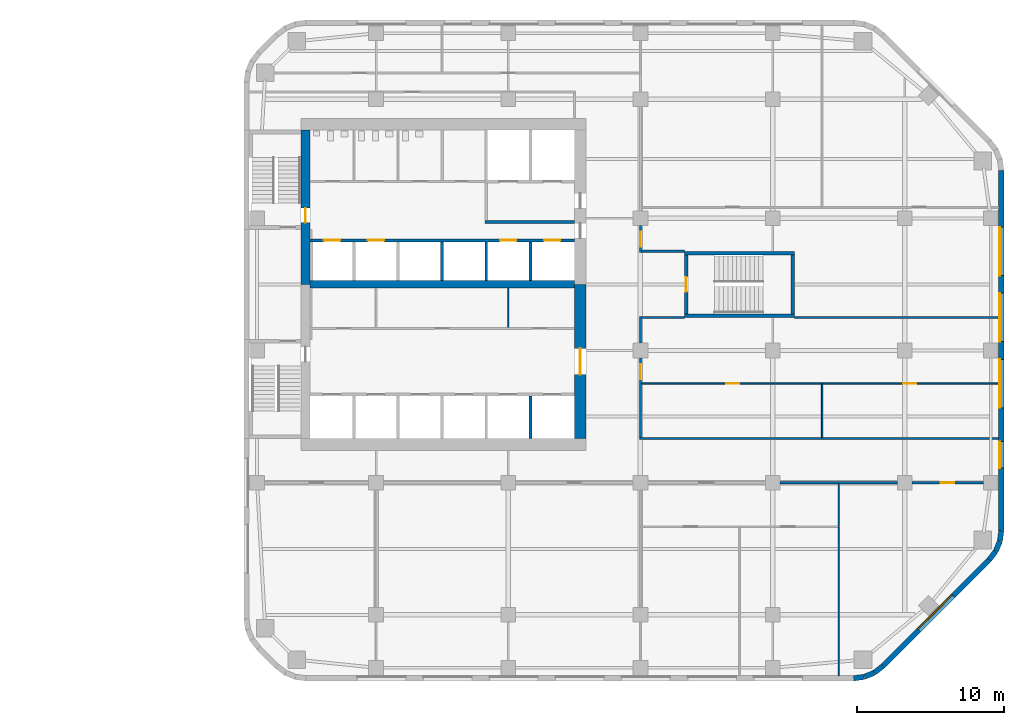
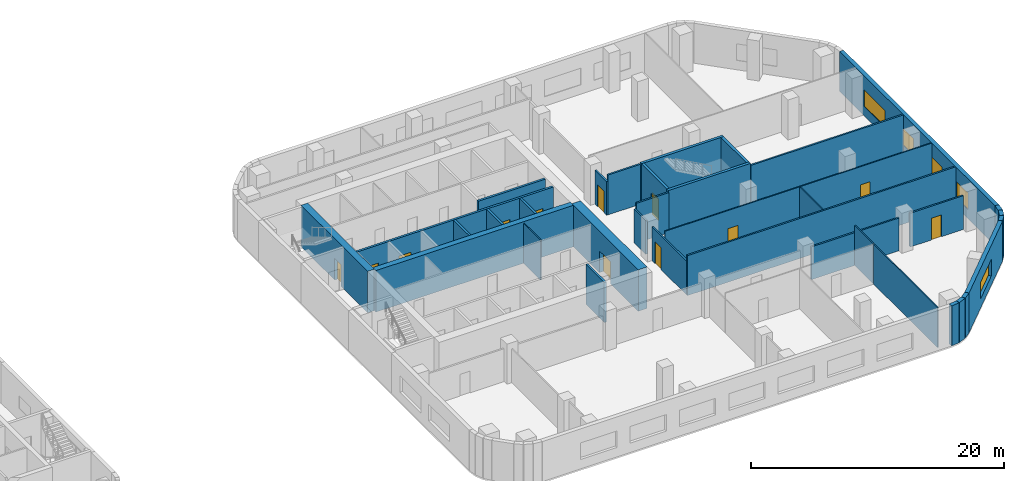
# One storey, part 9 of 14: 35 walls, 12 doors, 5 windows, 17 openings.
"""IFC4 building model written with IfcOpenShell, lengths in metres."""

import ifcopenshell
import ifcopenshell.guid

model = None  # the IFC model being written
_history = None  # IfcOwnerHistory: only IFC2X3 demands one
_inside = {}  # id of a spatial element -> (the spatial element, [elements in it])
_under = {}  # id of a project, library or spatial element -> (it, [spatial elements below it])
_declared = {}  # id of a project -> (the project, [libraries it declares])
_typed = {}  # id of a type object -> (the type object, [elements of that type])
_made_of = {}  # id of a material, layer set ... -> (it, [elements and type objects made of it])


def new_model(schema):
    """Start an empty IFC model of exactly this schema.

    Asked for "IFC4X3", IfcOpenShell would pick the latest addendum, in which some entities
    have other attributes; the version numbers below select the first issue.
    IFC2X3 requires an IfcOwnerHistory on every rooted entity: one is made here for all.
    """
    global model, _history
    if schema == "IFC4X3":
        model = ifcopenshell.file(schema_version=(4, 3, 0, 0))
    else:
        model = ifcopenshell.file(schema=schema)
    _inside.clear()
    _under.clear()
    _declared.clear()
    _typed.clear()
    _made_of.clear()
    _history = None
    if model.schema == "IFC2X3":
        org = make("IfcOrganization", Name="unknown")
        user = make(
            "IfcPersonAndOrganization",
            ThePerson=make("IfcPerson", FamilyName="unknown"),
            TheOrganization=org,
        )
        app = make(
            "IfcApplication",
            ApplicationDeveloper=org,
            Version="unknown",
            ApplicationFullName="unknown",
            ApplicationIdentifier="unknown",
        )
        _history = make(
            "IfcOwnerHistory",
            OwningUser=user,
            OwningApplication=app,
            ChangeAction="ADDED",
            CreationDate=0,
        )
    return model


def make(cls, **values):
    """One entity of the class cls with the attributes given. An attribute that is None is left unset."""
    return model.create_entity(
        cls, **{name: value for name, value in values.items() if value is not None}
    )


def rooted(cls, **values):
    """An entity with a GlobalId (a new one), such as an element, a storey or a relation."""
    return make(cls, GlobalId=ifcopenshell.guid.new(), OwnerHistory=_history, **values)


def si_unit(unit_type, name, prefix=None):
    """IfcSIUnit, for example si_unit("LENGTHUNIT", "METRE", prefix="MILLI")."""
    return make("IfcSIUnit", UnitType=unit_type, Prefix=prefix, Name=name)


def assignment(units):
    """IfcUnitAssignment: the units of a project."""
    return None if units is None else make("IfcUnitAssignment", Units=units)


def point(xyz):
    """IfcCartesianPoint."""
    return None if xyz is None else make("IfcCartesianPoint", Coordinates=xyz)


def direction(xyz):
    """IfcDirection."""
    return None if xyz is None else make("IfcDirection", DirectionRatios=xyz)


def frame(location, z_axis=None, x_axis=None):
    """IfcAxis2Placement3D, a coordinate frame: its origin and axes. An axis left out is left unset."""
    return make(
        "IfcAxis2Placement3D",
        Location=point(location),
        Axis=direction(z_axis),
        RefDirection=direction(x_axis),
    )


def frame_2d(location, x_axis=None):
    """IfcAxis2Placement2D, a coordinate frame in the plane: its origin and x axis."""
    return make(
        "IfcAxis2Placement2D", Location=point(location), RefDirection=direction(x_axis)
    )


def origin():
    """The frame at (0, 0, 0) with its axes left unset."""
    return frame((0.0, 0.0, 0.0))


def place(relative_to, where):
    """IfcLocalPlacement: puts the frame where relative to a parent placement (None: the world)."""
    return make(
        "IfcLocalPlacement", PlacementRelTo=relative_to, RelativePlacement=where
    )


def context(
    kind, dimensions, precision=None, world=None, true_north=None, identifier=None
):
    """IfcGeometricRepresentationContext, for example the 3D "Model" context."""
    return make(
        "IfcGeometricRepresentationContext",
        ContextIdentifier=identifier,
        ContextType=kind,
        CoordinateSpaceDimension=dimensions,
        Precision=precision,
        WorldCoordinateSystem=world,
        TrueNorth=true_north,
    )


def subcontext(parent, identifier, kind, view, scale=None):
    """IfcGeometricRepresentationSubContext, for example "Body" below "Model"."""
    return make(
        "IfcGeometricRepresentationSubContext",
        ContextIdentifier=identifier,
        ContextType=kind,
        ParentContext=parent,
        TargetScale=scale,
        TargetView=view,
    )


def project(units=None, contexts=None):
    """IfcProject with its units and contexts."""
    return rooted(
        "IfcProject",
        Name="project",
        RepresentationContexts=contexts,
        UnitsInContext=assignment(units),
    )


def spatial(cls, under=None, at=None, **own):
    """A site, building, storey or space (cls), placed at a placement, below another one or the project."""
    s = rooted(cls, ObjectPlacement=at, **own)
    if under is not None:
        _under.setdefault(under.id(), (under, []))[1].append(s)
    return s


def profile(cls, at=None, kind="AREA", **sizes):
    """A parametric profile (cls). Its sizes go by their IFC names, for example OverallWidth=200.0."""
    return make(cls, ProfileType=kind, Position=at, **sizes)


def rectangle(**sizes):
    """IfcRectangleProfileDef."""
    return profile("IfcRectangleProfileDef", **sizes)


def extrude(swept, where, along, depth):
    """IfcExtrudedAreaSolid: the profile swept, set in the frame where, extruded along a direction by depth."""
    return make(
        "IfcExtrudedAreaSolid",
        SweptArea=swept,
        Position=where,
        ExtrudedDirection=direction(along),
        Depth=depth,
    )


def shape(context_of_items, identifier, shape_type, items):
    """IfcShapeRepresentation: the items that make up one representation, for example the "Body"."""
    return make(
        "IfcShapeRepresentation",
        ContextOfItems=context_of_items,
        RepresentationIdentifier=identifier,
        RepresentationType=shape_type,
        Items=items,
    )


def material(Name=None, Category=None):
    """IfcMaterial."""
    return make("IfcMaterial", Name=Name, Category=Category)


def layer(
    of_material, thickness, ventilated=None, Name=None, Category=None, Priority=None
):
    """IfcMaterialLayer: one layer of a wall or slab, of a material (None: an air gap)."""
    return make(
        "IfcMaterialLayer",
        Material=of_material,
        LayerThickness=thickness,
        IsVentilated=ventilated,
        Name=Name,
        Category=Category,
        Priority=Priority,
    )


def layer_set(layers, Name=None):
    """IfcMaterialLayerSet."""
    return make("IfcMaterialLayerSet", MaterialLayers=layers, LayerSetName=Name)


def made_of(thing, what):
    """Note that an element or type object is made of a material, layer set ...; save() writes the relation."""
    if what is not None:
        _made_of.setdefault(what.id(), (what, []))[1].append(thing)
    return thing


def type_object(cls, material=None, **own):
    """A type object (cls), such as IfcWallType, which elements share."""
    return made_of(rooted(cls, **own), material)


def element(
    cls,
    number,
    at=None,
    inside=None,
    cuts=None,
    type_object=None,
    material=None,
    context=None,
    identifier="Body",
    shape_type=None,
    held_by="IfcProductDefinitionShape",
    body=None,
    shapes=None,
    **own,
):
    """One element of the class cls, such as IfcWall. Its Tag is "e" and its number.

    at: its placement. inside: the storey or other place that contains it. cuts: it is an
    opening in that element (IfcRelVoidsElement). A single representation is given by context,
    identifier, shape_type and body (its items); several are given by shapes. held_by: the class
    of the entity that holds the representations. save() writes the other relations.
    """
    e = rooted(cls, Tag="e%d" % number, ObjectPlacement=at, **own)
    if body is not None:
        shapes = [shape(context, identifier, shape_type, body)]
    if shapes is not None:
        e.Representation = make(held_by, Representations=shapes)
    if inside is not None:
        _inside.setdefault(inside.id(), (inside, []))[1].append(e)
    if cuts is not None:
        rooted(
            "IfcRelVoidsElement", RelatingBuildingElement=cuts, RelatedOpeningElement=e
        )
    if type_object is not None:
        _typed.setdefault(type_object.id(), (type_object, []))[1].append(e)
    return made_of(e, material)


def fill(opening, filler):
    """IfcRelFillsElement: the door or window that sits in an opening."""
    return rooted(
        "IfcRelFillsElement",
        RelatingOpeningElement=opening,
        RelatedBuildingElement=filler,
    )


def aggregate(whole, parts):
    """IfcRelAggregates: a whole, such as a stair, and the parts it consists of."""
    return rooted("IfcRelAggregates", RelatingObject=whole, RelatedObjects=parts)


def save(model, path):
    """Write the relations noted so far, then the file.

    IfcRelAggregates (storeys below a building ...), IfcRelContainedInSpatialStructure (elements
    in a storey), IfcRelDefinesByType, IfcRelAssociatesMaterial and IfcRelDeclares: one each for
    every whole, place, type object, material and project.
    """
    for whole, parts in _under.values():
        aggregate(whole, parts)
    for where, things in _inside.values():
        rooted(
            "IfcRelContainedInSpatialStructure",
            RelatedElements=things,
            RelatingStructure=where,
        )
    for kind, things in _typed.values():
        rooted("IfcRelDefinesByType", RelatedObjects=things, RelatingType=kind)
    for what, things in _made_of.values():
        rooted("IfcRelAssociatesMaterial", RelatedObjects=things, RelatingMaterial=what)
    for by, libraries in _declared.values():
        rooted("IfcRelDeclares", RelatingContext=by, RelatedDefinitions=libraries)
    model.write(path)


model = new_model("IFC4")

# Units and contexts
model_context = context("Model", 3, precision=1e-05, world=origin(), true_north=direction((0.0, 1.0)))
body_context = subcontext(model_context, "Body", "Model", "MODEL_VIEW")
ifc_project = project(units=[si_unit("LENGTHUNIT", "METRE"), si_unit("AREAUNIT", "SQUARE_METRE"), si_unit("VOLUMEUNIT", "CUBIC_METRE"), si_unit("PLANEANGLEUNIT", "RADIAN"), si_unit("MASSUNIT", "GRAM", prefix="KILO")], contexts=[model_context])

# Site, building, storey
site_placement = place(None, origin())
site = spatial("IfcSite", under=ifc_project, at=site_placement, CompositionType="ELEMENT")
building_placement = place(site_placement, origin())
building = spatial("IfcBuilding", under=site, at=building_placement, Name="Cinnabar Reach Civic Tower", CompositionType="ELEMENT")
storey_placement = place(building_placement, frame((0.0, 0.0, 116.0)))
storey = spatial("IfcBuildingStorey", under=building, at=storey_placement, Name="L27", CompositionType="ELEMENT", Elevation=116.0)

# Walls
ifc_material_1 = material(Name="Facing brick with insulated backing", Category="masonry")
ifc_layer_1 = layer(ifc_material_1, 0.36)
ifc_layer_set_1 = layer_set([ifc_layer_1], Name="Brick corner wall")
wall_type_1 = type_object("IfcWallType", Name="Brick corner wall", PredefinedType="STANDARD", material=ifc_layer_set_1)
for number, where, z_axis, x_axis, name in (
    (1, (41.5186, 4.683, 0.0), (0.0, 0.0, 1.0), (0.99144092581, 0.13055608231, 0.0), "Brick corner wall"),
    (2, (42.2473, 4.7819, 0.0), (0.0, 0.0, 1.0), (0.923871547278, 0.382702709855, 0.0), "Brick corner wall"),
):
    element("IfcWall", number, at=place(storey_placement, frame(where, z_axis=z_axis, x_axis=x_axis)), inside=storey, type_object=wall_type_1, Name=name, PredefinedType="STANDARD", context=body_context, shape_type="SweptSolid", body=[
        extrude(rectangle(XDim=0.7131, YDim=0.36, at=frame_2d((0.3565, 0.0))), origin(), (0.0, 0.0, 1.0), 3.85),
    ])
for number, where, z_axis, x_axis, name in (
    (3, (42.9255, 5.066, 0.0), (0.0, 0.0, 1.0), (0.793321924995, 0.608802368033, 0.0), "Brick corner wall"),
    (4, (50.7498, 12.7587, 0.0), (0.0, 0.0, 1.0), (0.608802368033, 0.793321924995, 0.0), "Brick corner wall"),
):
    element("IfcWall", number, at=place(storey_placement, frame(where, z_axis=z_axis, x_axis=x_axis)), inside=storey, type_object=wall_type_1, Name=name, PredefinedType="STANDARD", context=body_context, shape_type="SweptSolid", body=[
        extrude(rectangle(XDim=0.7132, YDim=0.36, at=frame_2d((0.3566, 0.0))), origin(), (0.0, 0.0, 1.0), 3.85),
    ])
for number, where, z_axis, x_axis, name in (
    (5, (51.1952, 13.3439, 0.0), (0.0, 0.0, 1.0), (0.382702709855, 0.923871547278, 0.0), "Brick corner wall"),
    (6, (51.4739, 14.0244, 0.0), (0.0, 0.0, 1.0), (0.13055608231, 0.99144092581, 0.0), "Brick corner wall"),
):
    element("IfcWall", number, at=place(storey_placement, frame(where, z_axis=z_axis, x_axis=x_axis)), inside=storey, type_object=wall_type_1, Name=name, PredefinedType="STANDARD", context=body_context, shape_type="SweptSolid", body=[
        extrude(rectangle(XDim=0.7131, YDim=0.36, at=frame_2d((0.3565, 0.0))), origin(), (0.0, 0.0, 1.0), 3.85),
    ])

# Wall, opening, window
ifc_layer_2 = layer(ifc_material_1, 0.36)
ifc_layer_set_2 = layer_set([ifc_layer_2], Name="Brick pier and spandrel wall")
wall_type_2 = type_object("IfcWallType", Name="Brick pier and spandrel wall", PredefinedType="STANDARD", material=ifc_layer_set_2)
wall_1_placement = place(storey_placement, frame((43.5014, 5.506, 0.0), z_axis=(0.0, 0.0, 1.0), x_axis=(0.707106781187, 0.707106781187, 0.0)))
wall_1 = element("IfcWall", 7, at=wall_1_placement, inside=storey, type_object=wall_type_2, Name="Brick facade wall", PredefinedType="STANDARD", context=body_context, shape_type="SweptSolid", body=[
    extrude(rectangle(XDim=10.2426, YDim=0.36, at=frame_2d((5.1213, 0.0))), origin(), (0.0, 0.0, 1.0), 3.85),
])
opening_1_placement = place(wall_1_placement, frame((3.4713, 0.0, 0.9)))
opening_1 = element("IfcOpeningElement", 8, at=opening_1_placement, cuts=wall_1, Name="Opening W1574", PredefinedType="OPENING", context=body_context, shape_type="SweptSolid", body=[
    extrude(rectangle(XDim=3.3, YDim=1.6, at=frame_2d((1.65, 0.8))), frame((0.0, 0.19, 0.0), z_axis=(0.0, -1.0, 0.0), x_axis=(1.0, 0.0, 0.0)), (0.0, 0.0, 1.0), 0.38),
])
ifc_material_2 = material(Name="Clear double glazing in aluminium frame", Category="aluminium")
window_type_1 = type_object("IfcWindowType", Name="Deep-set window A", PartitioningType="SINGLE_PANEL", PredefinedType="WINDOW", material=ifc_material_2)
window_1_placement = place(opening_1_placement, origin())
window_1 = element("IfcWindow", 9, at=window_1_placement, inside=storey, type_object=window_type_1, Name="Window southeast face", OverallHeight=1.6, OverallWidth=3.3, PartitioningType="SINGLE_PANEL", PredefinedType="WINDOW", context=body_context, shape_type="SweptSolid", body=[
    extrude(rectangle(XDim=3.3, YDim=1.6, at=frame_2d((1.65, 0.8))), frame((0.0, 0.13, 0.0), z_axis=(0.0, -1.0, 0.0), x_axis=(1.0, 0.0, 0.0)), (0.0, 0.0, 1.0), 0.06),
])
fill(opening_1, window_1)

# Wall, openings, windows
wall_2_placement = place(storey_placement, frame((51.57, 14.7426, 0.0), z_axis=(0.0, 0.0, 1.0), x_axis=(0.0, 1.0, 0.0)))
wall_2 = element("IfcWall", 10, at=wall_2_placement, inside=storey, type_object=wall_type_2, Name="Brick facade wall", PredefinedType="STANDARD", context=body_context, shape_type="SweptSolid", body=[
    extrude(rectangle(XDim=24.5148, YDim=0.36, at=frame_2d((12.2574, 0.0))), origin(), (0.0, 0.0, 1.0), 3.85),
])
opening_2_placement = place(wall_2_placement, frame((4.2574, 0.0, 0.9)))
opening_2 = element("IfcOpeningElement", 11, at=opening_2_placement, cuts=wall_2, Name="Opening W1575", PredefinedType="OPENING", context=body_context, shape_type="SweptSolid", body=[
    extrude(rectangle(XDim=1.8, YDim=1.6, at=frame_2d((0.9, 0.8))), frame((0.0, 0.19, 0.0), z_axis=(0.0, -1.0, 0.0), x_axis=(1.0, 0.0, 0.0)), (0.0, 0.0, 1.0), 0.38),
])
opening_3_placement = place(wall_2_placement, frame((8.3574, 0.0, 0.9)))
opening_3 = element("IfcOpeningElement", 12, at=opening_3_placement, cuts=wall_2, Name="Opening W1576", PredefinedType="OPENING", context=body_context, shape_type="SweptSolid", body=[
    extrude(rectangle(XDim=3.3, YDim=1.6, at=frame_2d((1.65, 0.8))), frame((0.0, 0.19, 0.0), z_axis=(0.0, -1.0, 0.0), x_axis=(1.0, 0.0, 0.0)), (0.0, 0.0, 1.0), 0.38),
])
opening_4_placement = place(wall_2_placement, frame((12.8574, 0.0, 0.9)))
opening_4 = element("IfcOpeningElement", 13, at=opening_4_placement, cuts=wall_2, Name="Opening W1577", PredefinedType="OPENING", context=body_context, shape_type="SweptSolid", body=[
    extrude(rectangle(XDim=3.3, YDim=1.6, at=frame_2d((1.65, 0.8))), frame((0.0, 0.19, 0.0), z_axis=(0.0, -1.0, 0.0), x_axis=(1.0, 0.0, 0.0)), (0.0, 0.0, 1.0), 0.38),
])
opening_5_placement = place(wall_2_placement, frame((17.3574, 0.0, 0.9)))
opening_5 = element("IfcOpeningElement", 14, at=opening_5_placement, cuts=wall_2, Name="Opening W1578", PredefinedType="OPENING", context=body_context, shape_type="SweptSolid", body=[
    extrude(rectangle(XDim=3.3, YDim=1.6, at=frame_2d((1.65, 0.8))), frame((0.0, 0.19, 0.0), z_axis=(0.0, -1.0, 0.0), x_axis=(1.0, 0.0, 0.0)), (0.0, 0.0, 1.0), 0.38),
])
window_2_placement = place(opening_3_placement, origin())
window_2 = element("IfcWindow", 15, at=window_2_placement, inside=storey, type_object=window_type_1, Name="Window east face", OverallHeight=1.6, OverallWidth=3.3, PartitioningType="SINGLE_PANEL", PredefinedType="WINDOW", context=body_context, shape_type="SweptSolid", body=[
    extrude(rectangle(XDim=3.3, YDim=1.6, at=frame_2d((1.65, 0.8))), frame((0.0, 0.13, 0.0), z_axis=(0.0, -1.0, 0.0), x_axis=(1.0, 0.0, 0.0)), (0.0, 0.0, 1.0), 0.06),
])
fill(opening_3, window_2)
window_3_placement = place(opening_4_placement, origin())
window_3 = element("IfcWindow", 16, at=window_3_placement, inside=storey, type_object=window_type_1, Name="Window east face", OverallHeight=1.6, OverallWidth=3.3, PartitioningType="SINGLE_PANEL", PredefinedType="WINDOW", context=body_context, shape_type="SweptSolid", body=[
    extrude(rectangle(XDim=3.3, YDim=1.6, at=frame_2d((1.65, 0.8))), frame((0.0, 0.13, 0.0), z_axis=(0.0, -1.0, 0.0), x_axis=(1.0, 0.0, 0.0)), (0.0, 0.0, 1.0), 0.06),
])
fill(opening_4, window_3)
window_4_placement = place(opening_5_placement, origin())
window_4 = element("IfcWindow", 17, at=window_4_placement, inside=storey, type_object=window_type_1, Name="Window east face", OverallHeight=1.6, OverallWidth=3.3, PartitioningType="SINGLE_PANEL", PredefinedType="WINDOW", context=body_context, shape_type="SweptSolid", body=[
    extrude(rectangle(XDim=3.3, YDim=1.6, at=frame_2d((1.65, 0.8))), frame((0.0, 0.13, 0.0), z_axis=(0.0, -1.0, 0.0), x_axis=(1.0, 0.0, 0.0)), (0.0, 0.0, 1.0), 0.06),
])
fill(opening_5, window_4)
window_type_2 = type_object("IfcWindowType", Name="Deep-set window D", PartitioningType="SINGLE_PANEL", PredefinedType="WINDOW", material=ifc_material_2)
window_5_placement = place(opening_2_placement, origin())
window_5 = element("IfcWindow", 18, at=window_5_placement, inside=storey, type_object=window_type_2, Name="Window east face", OverallHeight=1.6, OverallWidth=1.8, PartitioningType="SINGLE_PANEL", PredefinedType="WINDOW", context=body_context, shape_type="SweptSolid", body=[
    extrude(rectangle(XDim=1.8, YDim=1.6, at=frame_2d((0.9, 0.8))), frame((0.0, 0.13, 0.0), z_axis=(0.0, -1.0, 0.0), x_axis=(1.0, 0.0, 0.0)), (0.0, 0.0, 1.0), 0.06),
])
fill(opening_2, window_5)

# Wall
ifc_material_3 = material(Name="Concrete C60", Category="concrete")
ifc_layer_3 = layer(ifc_material_3, 0.5)
ifc_layer_set_3 = layer_set([ifc_layer_3], Name="Core wall 500 EI 180")
wall_type_3 = type_object("IfcWallType", Name="Core wall 500 EI 180", PredefinedType="SOLIDWALL", material=ifc_layer_set_3)
wall_3_placement = place(storey_placement, frame((4.5, 31.5, 0.0), z_axis=(0.0, 0.0, 1.0), x_axis=(1.0, 0.0, 0.0)))
element("IfcWall", 19, at=wall_3_placement, inside=storey, type_object=wall_type_3, Name="Core spine wall T1 L27", PredefinedType="SOLIDWALL", context=body_context, shape_type="SweptSolid", body=[
    extrude(rectangle(XDim=18.0, YDim=0.5, at=frame_2d((9.0, 0.0))), origin(), (0.0, 0.0, 1.0), 4.0),
])

# Wall, opening, door
ifc_material_4 = material(Name="Concrete C70", Category="concrete")
ifc_layer_4 = layer(ifc_material_4, 0.6)
ifc_layer_set_4 = layer_set([ifc_layer_4], Name="Core wall 600 EI 180")
wall_type_4 = type_object("IfcWallType", Name="Core wall 600 EI 180", PredefinedType="SOLIDWALL", material=ifc_layer_set_4)
wall_4_placement = place(storey_placement, frame((4.2, 42.0, 0.0), z_axis=(0.0, 0.0, 1.0), x_axis=(0.0, -1.0, 0.0)))
wall_4 = element("IfcWall", 20, at=wall_4_placement, inside=storey, type_object=wall_type_4, Name="Core wall T1 L27 W", PredefinedType="SOLIDWALL", context=body_context, shape_type="SweptSolid", body=[
    extrude(rectangle(XDim=10.5, YDim=0.6, at=frame_2d((5.25, 0.0))), origin(), (0.0, 0.0, 1.0), 4.0),
])
opening_6_placement = place(wall_4_placement, frame((5.3, 0.0, 0.0)))
opening_6 = element("IfcOpeningElement", 21, at=opening_6_placement, cuts=wall_4, Name="Opening D4087", PredefinedType="OPENING", context=body_context, shape_type="SweptSolid", body=[
    extrude(rectangle(XDim=1.0, YDim=2.1, at=frame_2d((0.5, 1.05))), frame((0.0, 0.31, 0.0), z_axis=(0.0, -1.0, 0.0), x_axis=(1.0, 0.0, 0.0)), (0.0, 0.0, 1.0), 0.62),
])
ifc_material_5 = material(Name="Timber door leaf in steel frame", Category="steel")
door_type_1 = type_object("IfcDoorType", Name="Stair door 1000 x 2100 T1", OperationType="SINGLE_SWING_LEFT", PredefinedType="DOOR", material=ifc_material_5)
door_1_placement = place(opening_6_placement, frame((1.0, 0.0, 0.0), z_axis=(0.0, 0.0, 1.0), x_axis=(-1.0, 0.0, 0.0)))
door_1 = element("IfcDoor", 22, at=door_1_placement, inside=storey, type_object=door_type_1, Name="Door D4087", OperationType="SINGLE_SWING_LEFT", OverallHeight=2.1, OverallWidth=1.0, PredefinedType="DOOR", context=body_context, shape_type="SweptSolid", body=[
    extrude(rectangle(XDim=1.0, YDim=2.1, at=frame_2d((0.5, 1.05))), frame((0.0, 0.025, 0.0), z_axis=(0.0, -1.0, 0.0), x_axis=(1.0, 0.0, 0.0)), (0.0, 0.0, 1.0), 0.05),
])
fill(opening_6, door_1)

ifc_layer_5 = layer(ifc_material_4, 0.8)
ifc_layer_set_5 = layer_set([ifc_layer_5], Name="Core wall 800 EI 180")
wall_type_5 = type_object("IfcWallType", Name="Core wall 800 EI 180", PredefinedType="SOLIDWALL", material=ifc_layer_set_5)
wall_5_placement = place(storey_placement, frame((22.9, 21.0, 0.0), z_axis=(0.0, 0.0, 1.0), x_axis=(0.0, 1.0, 0.0)))
wall_5 = element("IfcWall", 23, at=wall_5_placement, inside=storey, type_object=wall_type_5, Name="Core wall T1 L27 E", PredefinedType="SOLIDWALL", context=body_context, shape_type="SweptSolid", body=[
    extrude(rectangle(XDim=10.5, YDim=0.8, at=frame_2d((5.25, 0.0))), origin(), (0.0, 0.0, 1.0), 4.0),
])
opening_7_placement = place(wall_5_placement, frame((4.35, 0.0, 0.0)))
opening_7 = element("IfcOpeningElement", 24, at=opening_7_placement, cuts=wall_5, Name="Opening D4101", PredefinedType="OPENING", context=body_context, shape_type="SweptSolid", body=[
    extrude(rectangle(XDim=1.8, YDim=2.1, at=frame_2d((0.9, 1.05))), frame((0.0, 0.41, 0.0), z_axis=(0.0, -1.0, 0.0), x_axis=(1.0, 0.0, 0.0)), (0.0, 0.0, 1.0), 0.82),
])
door_type_2 = type_object("IfcDoorType", Name="Double swing door 1800 x 2100 T1", OperationType="DOUBLE_DOOR_DOUBLE_SWING", PredefinedType="DOOR", material=ifc_material_5)
door_2_placement = place(opening_7_placement, origin())
door_2 = element("IfcDoor", 25, at=door_2_placement, inside=storey, type_object=door_type_2, Name="Door D4101", OperationType="DOUBLE_DOOR_DOUBLE_SWING", OverallHeight=2.1, OverallWidth=1.8, PredefinedType="DOOR", context=body_context, shape_type="SweptSolid", body=[
    extrude(rectangle(XDim=1.8, YDim=2.1, at=frame_2d((0.9, 1.05))), frame((0.0, 0.025, 0.0), z_axis=(0.0, -1.0, 0.0), x_axis=(1.0, 0.0, 0.0)), (0.0, 0.0, 1.0), 0.05),
])
fill(opening_7, door_2)

ifc_material_6 = material(Name="Gypsum board on steel studs, double layer", Category="steel")
ifc_layer_6 = layer(ifc_material_6, 0.15)
ifc_layer_set_6 = layer_set([ifc_layer_6], Name="Corridor wall 150 T1")
wall_type_6 = type_object("IfcWallType", Name="Corridor wall 150 T1", PredefinedType="PARTITIONING", material=ifc_layer_set_6)
wall_6_placement = place(storey_placement, frame((45.5, 18.0, 0.0), z_axis=(0.0, 0.0, 1.0), x_axis=(1.0, 0.0, 0.0)))
wall_6 = element("IfcWall", 26, at=wall_6_placement, inside=storey, type_object=wall_type_6, Name="Corridor wall 19", PredefinedType="PARTITIONING", context=body_context, shape_type="SweptSolid", body=[
    extrude(rectangle(XDim=4.85, YDim=0.15, at=frame_2d((2.425, 0.0))), origin(), (0.0, 0.0, 1.0), 3.254),
])
opening_8_placement = place(wall_6_placement, frame((1.95, 0.0, 0.0)))
opening_8 = element("IfcOpeningElement", 27, at=opening_8_placement, cuts=wall_6, Name="Opening D4123", PredefinedType="OPENING", context=body_context, shape_type="SweptSolid", body=[
    extrude(rectangle(XDim=0.9, YDim=2.1, at=frame_2d((0.45, 1.05))), frame((0.0, 0.085, 0.0), z_axis=(0.0, -1.0, 0.0), x_axis=(1.0, 0.0, 0.0)), (0.0, 0.0, 1.0), 0.17),
])
door_type_3 = type_object("IfcDoorType", Name="Single swing door 900 x 2100 corridor T1", OperationType="SINGLE_SWING_LEFT", PredefinedType="DOOR", material=ifc_material_5)
door_3_placement = place(opening_8_placement, frame((0.9, 0.0, 0.0), z_axis=(0.0, 0.0, 1.0), x_axis=(-1.0, 0.0, 0.0)))
door_3 = element("IfcDoor", 28, at=door_3_placement, inside=storey, type_object=door_type_3, Name="Door D4123", OperationType="SINGLE_SWING_LEFT", OverallHeight=2.1, OverallWidth=0.9, PredefinedType="DOOR", context=body_context, shape_type="SweptSolid", body=[
    extrude(rectangle(XDim=0.9, YDim=2.1, at=frame_2d((0.45, 1.05))), frame((0.0, 0.025, 0.0), z_axis=(0.0, -1.0, 0.0), x_axis=(1.0, 0.0, 0.0)), (0.0, 0.0, 1.0), 0.05),
])
fill(opening_8, door_3)

# Walls
wall_7_placement = place(storey_placement, frame((36.5, 18.0, 0.0), z_axis=(0.0, 0.0, 1.0), x_axis=(1.0, 0.0, 0.0)))
element("IfcWall", 29, at=wall_7_placement, inside=storey, type_object=wall_type_6, Name="Corridor wall 20", PredefinedType="PARTITIONING", context=body_context, shape_type="SweptSolid", body=[
    extrude(rectangle(XDim=8.0, YDim=0.15, at=frame_2d((4.0, 0.0))), origin(), (0.0, 0.0, 1.0), 3.158),
])
wall_8_placement = place(storey_placement, frame((26.925, 21.0, 0.0), z_axis=(0.0, 0.0, 1.0), x_axis=(1.0, 0.0, 0.0)))
element("IfcWall", 30, at=wall_8_placement, inside=storey, type_object=wall_type_6, Name="Corridor wall 26", PredefinedType="PARTITIONING", context=body_context, shape_type="SweptSolid", body=[
    extrude(rectangle(XDim=24.465, YDim=0.15, at=frame_2d((12.2325, 0.0))), origin(), (0.0, 0.0, 1.0), 3.85),
])

# Wall, opening, door
wall_9_placement = place(storey_placement, frame((27.0, 33.675, 0.0), z_axis=(0.0, 0.0, 1.0), x_axis=(0.0, 1.0, 0.0)))
wall_9 = element("IfcWall", 31, at=wall_9_placement, inside=storey, type_object=wall_type_6, Name="Corridor wall 29", PredefinedType="PARTITIONING", context=body_context, shape_type="SweptSolid", body=[
    extrude(rectangle(XDim=1.825, YDim=0.15, at=frame_2d((0.9125, 0.0))), origin(), (0.0, 0.0, 1.0), 3.256),
])
opening_9_placement = place(wall_9_placement, frame((0.4, 0.0, 0.0)))
opening_9 = element("IfcOpeningElement", 32, at=opening_9_placement, cuts=wall_9, Name="Opening D4112", PredefinedType="OPENING", context=body_context, shape_type="SweptSolid", body=[
    extrude(rectangle(XDim=1.0, YDim=2.1, at=frame_2d((0.5, 1.05))), frame((0.0, 0.085, 0.0), z_axis=(0.0, -1.0, 0.0), x_axis=(1.0, 0.0, 0.0)), (0.0, 0.0, 1.0), 0.17),
])
door_type_4 = type_object("IfcDoorType", Name="Tenancy entrance door 1000 x 2100 T1", OperationType="SINGLE_SWING_LEFT", PredefinedType="DOOR", material=ifc_material_5)
door_4_placement = place(opening_9_placement, frame((1.0, 0.0, 0.0), z_axis=(0.0, 0.0, 1.0), x_axis=(-1.0, 0.0, 0.0)))
door_4 = element("IfcDoor", 33, at=door_4_placement, inside=storey, type_object=door_type_4, Name="Door D4112", OperationType="SINGLE_SWING_RIGHT", OverallHeight=2.1, OverallWidth=1.0, PredefinedType="DOOR", context=body_context, shape_type="SweptSolid", body=[
    extrude(rectangle(XDim=1.0, YDim=2.1, at=frame_2d((0.5, 1.05))), frame((0.0, 0.025, 0.0), z_axis=(0.0, -1.0, 0.0), x_axis=(1.0, 0.0, 0.0)), (0.0, 0.0, 1.0), 0.05),
])
fill(opening_9, door_4)

wall_10_placement = place(storey_placement, frame((27.0, 21.075, 0.0), z_axis=(0.0, 0.0, 1.0), x_axis=(0.0, 1.0, 0.0)))
wall_10 = element("IfcWall", 34, at=wall_10_placement, inside=storey, type_object=wall_type_6, Name="Corridor wall 33", PredefinedType="PARTITIONING", context=body_context, shape_type="SweptSolid", body=[
    extrude(rectangle(XDim=5.425, YDim=0.15, at=frame_2d((2.7125, 0.0))), origin(), (0.0, 0.0, 1.0), 3.256),
])
opening_10_placement = place(wall_10_placement, frame((3.975, 0.0, 0.0)))
opening_10 = element("IfcOpeningElement", 35, at=opening_10_placement, cuts=wall_10, Name="Opening D4115", PredefinedType="OPENING", context=body_context, shape_type="SweptSolid", body=[
    extrude(rectangle(XDim=1.0, YDim=2.1, at=frame_2d((0.5, 1.05))), frame((0.0, 0.085, 0.0), z_axis=(0.0, -1.0, 0.0), x_axis=(1.0, 0.0, 0.0)), (0.0, 0.0, 1.0), 0.17),
])
door_5_placement = place(opening_10_placement, frame((1.0, 0.0, 0.0), z_axis=(0.0, 0.0, 1.0), x_axis=(-1.0, 0.0, 0.0)))
door_5 = element("IfcDoor", 36, at=door_5_placement, inside=storey, type_object=door_type_4, Name="Door D4115", OperationType="SINGLE_SWING_RIGHT", OverallHeight=2.1, OverallWidth=1.0, PredefinedType="DOOR", context=body_context, shape_type="SweptSolid", body=[
    extrude(rectangle(XDim=1.0, YDim=2.1, at=frame_2d((0.5, 1.05))), frame((0.0, 0.025, 0.0), z_axis=(0.0, -1.0, 0.0), x_axis=(1.0, 0.0, 0.0)), (0.0, 0.0, 1.0), 0.05),
])
fill(opening_10, door_5)

# Walls
wall_11_placement = place(storey_placement, frame((27.0, 27.5, 0.0), z_axis=(0.0, 0.0, 1.0), x_axis=(0.0, 1.0, 0.0)))
element("IfcWall", 37, at=wall_11_placement, inside=storey, type_object=wall_type_6, Name="Corridor wall 34", PredefinedType="PARTITIONING", context=body_context, shape_type="SweptSolid", body=[
    extrude(rectangle(XDim=1.825, YDim=0.15, at=frame_2d((0.9125, 0.0))), origin(), (0.0, 0.0, 1.0), 3.256),
])
for number, where, z_axis, x_axis, name in (
    (38, (27.075, 29.25, 0.0), (0.0, 0.0, 1.0), (1.0, 0.0, 0.0), "Corridor wall 37"),
    (39, (27.075, 33.75, 0.0), (0.0, 0.0, 1.0), (1.0, 0.0, 0.0), "Corridor wall 38"),
):
    element("IfcWall", number, at=place(storey_placement, frame(where, z_axis=z_axis, x_axis=x_axis)), inside=storey, type_object=wall_type_6, Name=name, PredefinedType="PARTITIONING", context=body_context, shape_type="SweptSolid", body=[
        extrude(rectangle(XDim=2.925, YDim=0.15, at=frame_2d((1.4625, 0.0))), origin(), (0.0, 0.0, 1.0), 3.85),
    ])

# Wall, openings, doors
ifc_material_7 = material(Name="Blockwork", Category="masonry")
ifc_layer_7 = layer(ifc_material_7, 0.2)
ifc_layer_set_7 = layer_set([ifc_layer_7], Name="Lift shaft wall 200 T1")
wall_type_7 = type_object("IfcWallType", Name="Lift shaft wall 200 T1", PredefinedType="PARTITIONING", material=ifc_layer_set_7)
wall_12_placement = place(storey_placement, frame((4.5, 34.5, 0.0), z_axis=(0.0, 0.0, 1.0), x_axis=(1.0, 0.0, 0.0)))
wall_12 = element("IfcWall", 40, at=wall_12_placement, inside=storey, type_object=wall_type_7, Name="Lift shaft wall 5", PredefinedType="PARTITIONING", context=body_context, shape_type="SweptSolid", body=[
    extrude(rectangle(XDim=18.0, YDim=0.2, at=frame_2d((9.0, 0.0))), origin(), (0.0, 0.0, 1.0), 3.85),
])
opening_11_placement = place(wall_12_placement, frame((0.95, 0.0, 0.0)))
opening_11 = element("IfcOpeningElement", 41, at=opening_11_placement, cuts=wall_12, Name="Opening D4095", PredefinedType="OPENING", context=body_context, shape_type="SweptSolid", body=[
    extrude(rectangle(XDim=1.1, YDim=2.1, at=frame_2d((0.55, 1.05))), frame((0.0, 0.11, 0.0), z_axis=(0.0, -1.0, 0.0), x_axis=(1.0, 0.0, 0.0)), (0.0, 0.0, 1.0), 0.22),
])
opening_12_placement = place(wall_12_placement, frame((3.95, 0.0, 0.0)))
opening_12 = element("IfcOpeningElement", 42, at=opening_12_placement, cuts=wall_12, Name="Opening D4096", PredefinedType="OPENING", context=body_context, shape_type="SweptSolid", body=[
    extrude(rectangle(XDim=1.1, YDim=2.1, at=frame_2d((0.55, 1.05))), frame((0.0, 0.11, 0.0), z_axis=(0.0, -1.0, 0.0), x_axis=(1.0, 0.0, 0.0)), (0.0, 0.0, 1.0), 0.22),
])
opening_13_placement = place(wall_12_placement, frame((12.95, 0.0, 0.0)))
opening_13 = element("IfcOpeningElement", 43, at=opening_13_placement, cuts=wall_12, Name="Opening D4097", PredefinedType="OPENING", context=body_context, shape_type="SweptSolid", body=[
    extrude(rectangle(XDim=1.1, YDim=2.1, at=frame_2d((0.55, 1.05))), frame((0.0, 0.11, 0.0), z_axis=(0.0, -1.0, 0.0), x_axis=(1.0, 0.0, 0.0)), (0.0, 0.0, 1.0), 0.22),
])
opening_14_placement = place(wall_12_placement, frame((15.95, 0.0, 0.0)))
opening_14 = element("IfcOpeningElement", 44, at=opening_14_placement, cuts=wall_12, Name="Opening D4098", PredefinedType="OPENING", context=body_context, shape_type="SweptSolid", body=[
    extrude(rectangle(XDim=1.1, YDim=2.1, at=frame_2d((0.55, 1.05))), frame((0.0, 0.11, 0.0), z_axis=(0.0, -1.0, 0.0), x_axis=(1.0, 0.0, 0.0)), (0.0, 0.0, 1.0), 0.22),
])
ifc_material_8 = material(Name="Stainless steel sliding door", Category="steel")
door_type_5 = type_object("IfcDoorType", Name="Lift landing door 1100 x 2100 T1", OperationType="SLIDING_TO_LEFT", PredefinedType="DOOR", material=ifc_material_8)
door_6_placement = place(opening_11_placement, origin())
door_6 = element("IfcDoor", 45, at=door_6_placement, inside=storey, type_object=door_type_5, Name="Lift landing door SH1 L27", OperationType="SLIDING_TO_LEFT", OverallHeight=2.1, OverallWidth=1.1, PredefinedType="DOOR", context=body_context, shape_type="SweptSolid", body=[
    extrude(rectangle(XDim=1.1, YDim=2.1, at=frame_2d((0.55, 1.05))), frame((0.0, 0.025, 0.0), z_axis=(0.0, -1.0, 0.0), x_axis=(1.0, 0.0, 0.0)), (0.0, 0.0, 1.0), 0.05),
])
fill(opening_11, door_6)
door_7_placement = place(opening_12_placement, origin())
door_7 = element("IfcDoor", 46, at=door_7_placement, inside=storey, type_object=door_type_5, Name="Lift landing door SH2 L27", OperationType="SLIDING_TO_LEFT", OverallHeight=2.1, OverallWidth=1.1, PredefinedType="DOOR", context=body_context, shape_type="SweptSolid", body=[
    extrude(rectangle(XDim=1.1, YDim=2.1, at=frame_2d((0.55, 1.05))), frame((0.0, 0.025, 0.0), z_axis=(0.0, -1.0, 0.0), x_axis=(1.0, 0.0, 0.0)), (0.0, 0.0, 1.0), 0.05),
])
fill(opening_12, door_7)
door_8_placement = place(opening_13_placement, origin())
door_8 = element("IfcDoor", 47, at=door_8_placement, inside=storey, type_object=door_type_5, Name="Lift landing door SV1 L27", OperationType="SLIDING_TO_LEFT", OverallHeight=2.1, OverallWidth=1.1, PredefinedType="DOOR", context=body_context, shape_type="SweptSolid", body=[
    extrude(rectangle(XDim=1.1, YDim=2.1, at=frame_2d((0.55, 1.05))), frame((0.0, 0.025, 0.0), z_axis=(0.0, -1.0, 0.0), x_axis=(1.0, 0.0, 0.0)), (0.0, 0.0, 1.0), 0.05),
])
fill(opening_13, door_8)
door_9_placement = place(opening_14_placement, origin())
door_9 = element("IfcDoor", 48, at=door_9_placement, inside=storey, type_object=door_type_5, Name="Lift landing door SV2 L27", OperationType="SLIDING_TO_LEFT", OverallHeight=2.1, OverallWidth=1.1, PredefinedType="DOOR", context=body_context, shape_type="SweptSolid", body=[
    extrude(rectangle(XDim=1.1, YDim=2.1, at=frame_2d((0.55, 1.05))), frame((0.0, 0.025, 0.0), z_axis=(0.0, -1.0, 0.0), x_axis=(1.0, 0.0, 0.0)), (0.0, 0.0, 1.0), 0.05),
])
fill(opening_14, door_9)

# Walls
for number, where, z_axis, x_axis, name in (
    (49, (13.5, 31.75, 0.0), (0.0, 0.0, 1.0), (0.0, 1.0, 0.0), "Lift shaft wall 14"),
    (50, (16.5, 31.75, 0.0), (0.0, 0.0, 1.0), (0.0, 1.0, 0.0), "Lift shaft wall 16"),
):
    element("IfcWall", number, at=place(storey_placement, frame(where, z_axis=z_axis, x_axis=x_axis)), inside=storey, type_object=wall_type_7, Name=name, PredefinedType="PARTITIONING", context=body_context, shape_type="SweptSolid", body=[
        extrude(rectangle(XDim=2.65, YDim=0.2, at=frame_2d((1.325, 0.0))), origin(), (0.0, 0.0, 1.0), 3.85),
    ])
wall_13_placement = place(storey_placement, frame((19.5, 21.0, 0.0), z_axis=(0.0, 0.0, 1.0), x_axis=(0.0, 1.0, 0.0)))
element("IfcWall", 51, at=wall_13_placement, inside=storey, type_object=wall_type_7, Name="Lift shaft wall 17", PredefinedType="PARTITIONING", context=body_context, shape_type="SweptSolid", body=[
    extrude(rectangle(XDim=2.9, YDim=0.2, at=frame_2d((1.45, 0.0))), origin(), (0.0, 0.0, 1.0), 3.85),
])
wall_14_placement = place(storey_placement, frame((19.5, 31.75, 0.0), z_axis=(0.0, 0.0, 1.0), x_axis=(0.0, 1.0, 0.0)))
element("IfcWall", 52, at=wall_14_placement, inside=storey, type_object=wall_type_7, Name="Lift shaft wall 18", PredefinedType="PARTITIONING", context=body_context, shape_type="SweptSolid", body=[
    extrude(rectangle(XDim=2.65, YDim=0.2, at=frame_2d((1.325, 0.0))), origin(), (0.0, 0.0, 1.0), 3.85),
])

# Wall, openings, doors
ifc_material_9 = material(Name="Gypsum board on steel studs", Category="steel")
ifc_layer_8 = layer(ifc_material_9, 0.1)
ifc_layer_set_8 = layer_set([ifc_layer_8], Name="Partition wall 100 T1")
wall_type_8 = type_object("IfcWallType", Name="Partition wall 100 T1", PredefinedType="PARTITIONING", material=ifc_layer_set_8)
wall_15_placement = place(storey_placement, frame((27.075, 24.75, 0.0), z_axis=(0.0, 0.0, 1.0), x_axis=(1.0, 0.0, 0.0)))
wall_15 = element("IfcWall", 53, at=wall_15_placement, inside=storey, type_object=wall_type_8, Name="Partition wall 43", PredefinedType="PARTITIONING", context=body_context, shape_type="SweptSolid", body=[
    extrude(rectangle(XDim=24.315, YDim=0.1, at=frame_2d((12.1575, 0.0))), origin(), (0.0, 0.0, 1.0), 3.85),
])
opening_15_placement = place(wall_15_placement, frame((5.75, 0.0, 0.0)))
opening_15 = element("IfcOpeningElement", 54, at=opening_15_placement, cuts=wall_15, Name="Opening D4116", PredefinedType="OPENING", context=body_context, shape_type="SweptSolid", body=[
    extrude(rectangle(XDim=0.9, YDim=2.1, at=frame_2d((0.45, 1.05))), frame((0.0, 0.06, 0.0), z_axis=(0.0, -1.0, 0.0), x_axis=(1.0, 0.0, 0.0)), (0.0, 0.0, 1.0), 0.12),
])
opening_16_placement = place(wall_15_placement, frame((17.8, 0.0, 0.0)))
opening_16 = element("IfcOpeningElement", 55, at=opening_16_placement, cuts=wall_15, Name="Opening D4117", PredefinedType="OPENING", context=body_context, shape_type="SweptSolid", body=[
    extrude(rectangle(XDim=0.9, YDim=2.1, at=frame_2d((0.45, 1.05))), frame((0.0, 0.06, 0.0), z_axis=(0.0, -1.0, 0.0), x_axis=(1.0, 0.0, 0.0)), (0.0, 0.0, 1.0), 0.12),
])
door_type_6 = type_object("IfcDoorType", Name="Single swing door 900 x 2100 T1", OperationType="SINGLE_SWING_LEFT", PredefinedType="DOOR", material=ifc_material_5)
door_10_placement = place(opening_15_placement, frame((0.9, 0.0, 0.0), z_axis=(0.0, 0.0, 1.0), x_axis=(-1.0, 0.0, 0.0)))
door_10 = element("IfcDoor", 56, at=door_10_placement, inside=storey, type_object=door_type_6, Name="Door D4116", OperationType="SINGLE_SWING_LEFT", OverallHeight=2.1, OverallWidth=0.9, PredefinedType="DOOR", context=body_context, shape_type="SweptSolid", body=[
    extrude(rectangle(XDim=0.9, YDim=2.1, at=frame_2d((0.45, 1.05))), frame((0.0, 0.025, 0.0), z_axis=(0.0, -1.0, 0.0), x_axis=(1.0, 0.0, 0.0)), (0.0, 0.0, 1.0), 0.05),
])
fill(opening_15, door_10)
door_11_placement = place(opening_16_placement, frame((0.9, 0.0, 0.0), z_axis=(0.0, 0.0, 1.0), x_axis=(-1.0, 0.0, 0.0)))
door_11 = element("IfcDoor", 57, at=door_11_placement, inside=storey, type_object=door_type_6, Name="Door D4117", OperationType="SINGLE_SWING_RIGHT", OverallHeight=2.1, OverallWidth=0.9, PredefinedType="DOOR", context=body_context, shape_type="SweptSolid", body=[
    extrude(rectangle(XDim=0.9, YDim=2.1, at=frame_2d((0.45, 1.05))), frame((0.0, 0.025, 0.0), z_axis=(0.0, -1.0, 0.0), x_axis=(1.0, 0.0, 0.0)), (0.0, 0.0, 1.0), 0.05),
])
fill(opening_16, door_11)

# Walls
wall_16_placement = place(storey_placement, frame((40.5, 15.05, 0.0), z_axis=(0.0, 0.0, 1.0), x_axis=(0.0, 1.0, 0.0)))
element("IfcWall", 58, at=wall_16_placement, inside=storey, type_object=wall_type_8, Name="Partition wall 51", PredefinedType="PARTITIONING", context=body_context, shape_type="SweptSolid", body=[
    extrude(rectangle(XDim=2.875, YDim=0.1, at=frame_2d((1.4375, 0.0))), origin(), (0.0, 0.0, 1.0), 3.85),
])
wall_17_placement = place(storey_placement, frame((40.5, 4.86, 0.0), z_axis=(0.0, 0.0, 1.0), x_axis=(0.0, 1.0, 0.0)))
element("IfcWall", 59, at=wall_17_placement, inside=storey, type_object=wall_type_8, Name="Partition wall 52", PredefinedType="PARTITIONING", context=body_context, shape_type="SweptSolid", body=[
    extrude(rectangle(XDim=10.09, YDim=0.1, at=frame_2d((5.045, 0.0))), origin(), (0.0, 0.0, 1.0), 3.85),
])
wall_18_placement = place(storey_placement, frame((39.375, 21.075, 0.0), z_axis=(0.0, 0.0, 1.0), x_axis=(0.0, 1.0, 0.0)))
element("IfcWall", 60, at=wall_18_placement, inside=storey, type_object=wall_type_8, Name="Partition wall 55", PredefinedType="PARTITIONING", context=body_context, shape_type="SweptSolid", body=[
    extrude(rectangle(XDim=3.625, YDim=0.1, at=frame_2d((1.8125, 0.0))), origin(), (0.0, 0.0, 1.0), 3.85),
])
wall_19_placement = place(storey_placement, frame((18.0, 28.575, 0.0), z_axis=(0.0, 0.0, 1.0), x_axis=(0.0, 1.0, 0.0)))
element("IfcWall", 61, at=wall_19_placement, inside=storey, type_object=wall_type_8, Name="Partition wall 61", PredefinedType="PARTITIONING", context=body_context, shape_type="SweptSolid", body=[
    extrude(rectangle(XDim=2.675, YDim=0.1, at=frame_2d((1.3375, 0.0))), origin(), (0.0, 0.0, 1.0), 3.85),
])
ifc_material_10 = material(Name="Concrete C40", Category="concrete")
ifc_layer_9 = layer(ifc_material_10, 0.2)
ifc_layer_set_9 = layer_set([ifc_layer_9], Name="Refuge compartment wall 200 T1")
wall_type_9 = type_object("IfcWallType", Name="Refuge compartment wall 200 T1", PredefinedType="PARTITIONING", material=ifc_layer_set_9)
wall_20_placement = place(storey_placement, frame((16.4, 35.75, 0.0), z_axis=(0.0, 0.0, 1.0), x_axis=(1.0, 0.0, 0.0)))
element("IfcWall", 62, at=wall_20_placement, inside=storey, type_object=wall_type_9, Name="Refuge compartment wall 1", PredefinedType="PARTITIONING", context=body_context, shape_type="SweptSolid", body=[
    extrude(rectangle(XDim=6.1, YDim=0.2, at=frame_2d((3.05, 0.0))), origin(), (0.0, 0.0, 1.0), 3.85),
])
ifc_layer_10 = layer(ifc_material_3, 0.25)
ifc_layer_set_10 = layer_set([ifc_layer_10], Name="Stair shaft wall 250 EI 120")
wall_type_10 = type_object("IfcWallType", Name="Stair shaft wall 250 EI 120", PredefinedType="SOLIDWALL", material=ifc_layer_set_10)
for number, where, z_axis, x_axis, name in (
    (63, (30.0, 29.375, 0.0), (0.0, 0.0, 1.0), (1.0, 0.0, 0.0), "Stair shaft wall T1-S3 L27"),
    (64, (37.5, 33.625, 0.0), (0.0, 0.0, 1.0), (-1.0, 0.0, 0.0), "Stair shaft wall T1-S3 L27"),
):
    element("IfcWall", number, at=place(storey_placement, frame(where, z_axis=z_axis, x_axis=x_axis)), inside=storey, type_object=wall_type_10, Name=name, PredefinedType="SOLIDWALL", context=body_context, shape_type="SweptSolid", body=[
        extrude(rectangle(XDim=7.5, YDim=0.25, at=frame_2d((3.75, 0.0))), origin(), (0.0, 0.0, 1.0), 4.0),
    ])
wall_21_placement = place(storey_placement, frame((37.375, 29.5, 0.0), z_axis=(0.0, 0.0, 1.0), x_axis=(0.0, 1.0, 0.0)))
element("IfcWall", 65, at=wall_21_placement, inside=storey, type_object=wall_type_10, Name="Stair shaft wall T1-S3 L27", PredefinedType="SOLIDWALL", context=body_context, shape_type="SweptSolid", body=[
    extrude(rectangle(XDim=4.0, YDim=0.25, at=frame_2d((2.0, 0.0))), origin(), (0.0, 0.0, 1.0), 4.0),
])

# Wall, opening, door
wall_22_placement = place(storey_placement, frame((30.125, 33.5, 0.0), z_axis=(0.0, 0.0, 1.0), x_axis=(0.0, -1.0, 0.0)))
wall_22 = element("IfcWall", 66, at=wall_22_placement, inside=storey, type_object=wall_type_10, Name="Stair shaft wall T1-S3 L27", PredefinedType="SOLIDWALL", context=body_context, shape_type="SweptSolid", body=[
    extrude(rectangle(XDim=4.0, YDim=0.25, at=frame_2d((2.0, 0.0))), origin(), (0.0, 0.0, 1.0), 4.0),
])
opening_17_placement = place(wall_22_placement, frame((1.5, 0.0, 0.0)))
opening_17 = element("IfcOpeningElement", 67, at=opening_17_placement, cuts=wall_22, Name="Opening D4104", PredefinedType="OPENING", context=body_context, shape_type="SweptSolid", body=[
    extrude(rectangle(XDim=1.0, YDim=2.1, at=frame_2d((0.5, 1.05))), frame((0.0, 0.135, 0.0), z_axis=(0.0, -1.0, 0.0), x_axis=(1.0, 0.0, 0.0)), (0.0, 0.0, 1.0), 0.27),
])
door_12_placement = place(opening_17_placement, origin())
door_12 = element("IfcDoor", 68, at=door_12_placement, inside=storey, type_object=door_type_1, Name="Door D4104", OperationType="SINGLE_SWING_LEFT", OverallHeight=2.1, OverallWidth=1.0, PredefinedType="DOOR", context=body_context, shape_type="SweptSolid", body=[
    extrude(rectangle(XDim=1.0, YDim=2.1, at=frame_2d((0.5, 1.05))), frame((0.0, 0.025, 0.0), z_axis=(0.0, -1.0, 0.0), x_axis=(1.0, 0.0, 0.0)), (0.0, 0.0, 1.0), 0.05),
])
fill(opening_17, door_12)

# Wall
ifc_layer_11 = layer(ifc_material_6, 0.15)
ifc_layer_set_11 = layer_set([ifc_layer_11], Name="Tenancy separating wall 150 T1")
wall_type_11 = type_object("IfcWallType", Name="Tenancy separating wall 150 T1", PredefinedType="PARTITIONING", material=ifc_layer_set_11)
wall_23_placement = place(storey_placement, frame((37.5, 29.25, 0.0), z_axis=(0.0, 0.0, 1.0), x_axis=(1.0, 0.0, 0.0)))
element("IfcWall", 69, at=wall_23_placement, inside=storey, type_object=wall_type_11, Name="Tenancy separating wall 42", PredefinedType="PARTITIONING", context=body_context, shape_type="SweptSolid", body=[
    extrude(rectangle(XDim=13.89, YDim=0.15, at=frame_2d((6.945, 0.0))), origin(), (0.0, 0.0, 1.0), 3.85),
])

save(model, "model.ifc")
